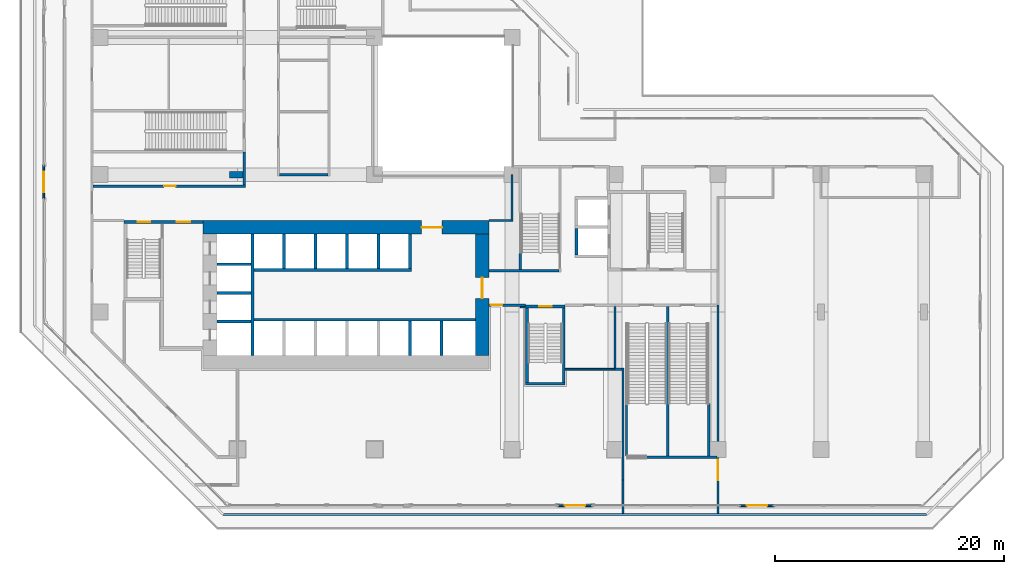
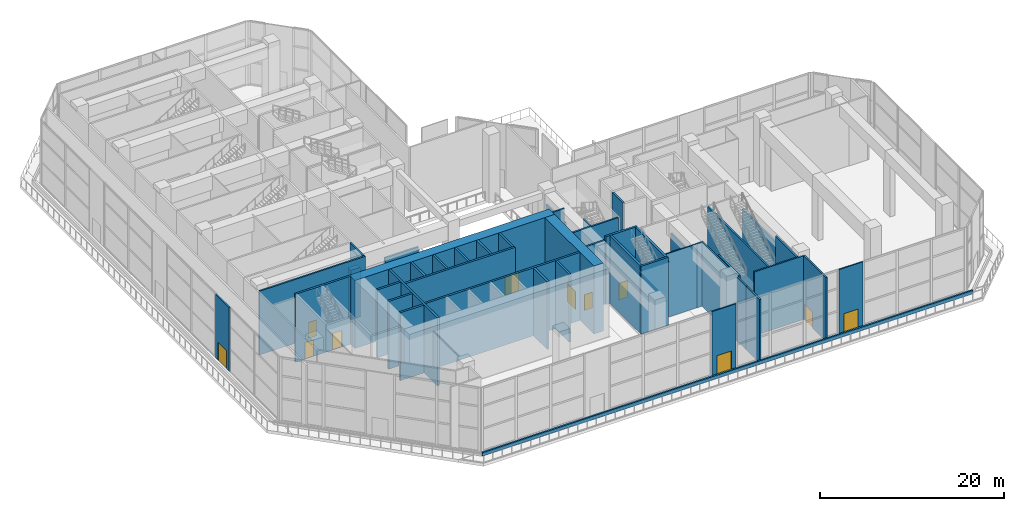
# One storey, part 13 of 28: 45 walls, 11 doors, 11 openings.
"""IFC4 building model written with IfcOpenShell, lengths in metres."""

from ifc_helpers import new_model, si_unit, direction, frame, frame_2d, origin, place, context, subcontext, project, spatial, rectangle, extrude, material, layer, layer_set, type_object, element, fill, save


model = new_model("IFC4")

# Units and contexts
model_context = context("Model", 3, precision=1e-05, world=origin(), true_north=direction((0.0, 1.0)))
body_context = subcontext(model_context, "Body", "Model", "MODEL_VIEW")
ifc_project = project(units=[si_unit("LENGTHUNIT", "METRE"), si_unit("AREAUNIT", "SQUARE_METRE"), si_unit("VOLUMEUNIT", "CUBIC_METRE"), si_unit("PLANEANGLEUNIT", "RADIAN"), si_unit("MASSUNIT", "GRAM", prefix="KILO")], contexts=[model_context])

# Site, building, storey
site_placement = place(None, origin())
site = spatial("IfcSite", under=ifc_project, at=site_placement, CompositionType="ELEMENT")
building_placement = place(site_placement, origin())
building = spatial("IfcBuilding", under=site, at=building_placement, Name="Chenar Terraces", CompositionType="ELEMENT")
storey_placement = place(building_placement, frame((0.0, 0.0, 26.39990234375)))
storey = spatial("IfcBuildingStorey", under=building, at=storey_placement, Name="L05", CompositionType="ELEMENT", Elevation=26.39990234375)

# Wall, opening, door
ifc_material_1 = material(Name="Concrete C70/85", Category="concrete")
ifc_layer_1 = layer(ifc_material_1, 1.199951171875)
ifc_layer_set_1 = layer_set([ifc_layer_1], Name="Concrete C70/85")
wall_type_1 = type_object("IfcWallType", Name="Core wall 1200 Concrete C70/85", PredefinedType="SHEAR", material=ifc_layer_set_1)
wall_1_placement = place(storey_placement, frame((9.0, 19.39990234375, 0.0), z_axis=(0.0, 0.0, 1.0), x_axis=(1.0, 0.0, 0.0)))
wall_1 = element("IfcWall", 1, at=wall_1_placement, inside=storey, type_object=wall_type_1, Name="Core wall N L05", PredefinedType="SHEAR", context=body_context, shape_type="SweptSolid", body=[
    extrude(rectangle(XDim=25.0, YDim=1.199951171875, at=frame_2d((12.5, 0.0))), origin(), (0.0, 0.0, 1.0), 9.0),
])
opening_1_placement = place(wall_1_placement, frame((19.10009765625, 0.0, 0.0)))
opening_1 = element("IfcOpeningElement", 2, at=opening_1_placement, cuts=wall_1, Name="Opening DL05-C2", PredefinedType="OPENING", context=body_context, shape_type="SweptSolid", body=[
    extrude(rectangle(XDim=1.800048828125, YDim=2.39990234375, at=frame_2d((0.89990234375, 1.199951171875))), frame((0.0, 0.60986328125, 0.0), z_axis=(0.0, -1.0, 0.0), x_axis=(1.0, 0.0, 0.0)), (0.0, 0.0, 1.0), 1.219970703125),
])
ifc_material_2 = material(Name="Steel-framed fire-resisting door leaf", Category="steel")
door_type_1 = type_object("IfcDoorType", Name="Core entrance double fire door FD60 1800 x 2400", OperationType="DOUBLE_DOOR_SINGLE_SWING", PredefinedType="DOOR", material=ifc_material_2)
door_1_placement = place(opening_1_placement, frame((1.800048828125, 0.0, 0.0), z_axis=(0.0, 0.0, 1.0), x_axis=(-1.0, 0.0, 0.0)))
door_1 = element("IfcDoor", 3, at=door_1_placement, inside=storey, type_object=door_type_1, Name="Core door DL05-C2", OperationType="DOUBLE_DOOR_SINGLE_SWING", OverallHeight=2.39990234375, OverallWidth=1.800048828125, PredefinedType="DOOR", context=body_context, shape_type="SweptSolid", body=[
    extrude(rectangle(XDim=1.800048828125, YDim=2.39990234375, at=frame_2d((0.89990234375, 1.199951171875))), frame((0.0, 0.02490234375, 0.0), z_axis=(0.0, -1.0, 0.0), x_axis=(1.0, 0.0, 0.0)), (0.0, 0.0, 1.0), 0.050048828125),
])
fill(opening_1, door_1)

wall_2_placement = place(storey_placement, frame((33.39990234375, 8.199951171875, 0.0), z_axis=(0.0, 0.0, 1.0), x_axis=(0.0, 1.0, 0.0)))
wall_2 = element("IfcWall", 4, at=wall_2_placement, inside=storey, type_object=wall_type_1, Name="Core wall E L05", PredefinedType="SHEAR", context=body_context, shape_type="SweptSolid", body=[
    extrude(rectangle(XDim=10.60009765625, YDim=1.199951171875, at=frame_2d((5.300048828125, 0.0))), origin(), (0.0, 0.0, 1.0), 9.0),
])
opening_2_placement = place(wall_2_placement, frame((5.0, 0.0, 0.0)))
opening_2 = element("IfcOpeningElement", 5, at=opening_2_placement, cuts=wall_2, Name="Opening DL05-C1", PredefinedType="OPENING", context=body_context, shape_type="SweptSolid", body=[
    extrude(rectangle(XDim=1.800048828125, YDim=2.39990234375, at=frame_2d((0.89990234375, 1.199951171875))), frame((0.0, 0.60986328125, 0.0), z_axis=(0.0, -1.0, 0.0), x_axis=(1.0, 0.0, 0.0)), (0.0, 0.0, 1.0), 1.219970703125),
])
door_2_placement = place(opening_2_placement, origin())
door_2 = element("IfcDoor", 6, at=door_2_placement, inside=storey, type_object=door_type_1, Name="Core door DL05-C1", OperationType="DOUBLE_DOOR_SINGLE_SWING", OverallHeight=2.39990234375, OverallWidth=1.800048828125, PredefinedType="DOOR", context=body_context, shape_type="SweptSolid", body=[
    extrude(rectangle(XDim=1.800048828125, YDim=2.39990234375, at=frame_2d((0.89990234375, 1.199951171875))), frame((0.0, 0.02490234375, 0.0), z_axis=(0.0, -1.0, 0.0), x_axis=(1.0, 0.0, 0.0)), (0.0, 0.0, 1.0), 0.050048828125),
])
fill(opening_2, door_2)

# Walls
ifc_material_3 = material(Name="Concrete C70/85", Category="concrete")
ifc_layer_2 = layer(ifc_material_3, 0.25)
ifc_layer_set_2 = layer_set([ifc_layer_2], Name="Concrete C70/85")
wall_type_2 = type_object("IfcWallType", Name="Core wall 250 Concrete C70/85", PredefinedType="SHEAR", material=ifc_layer_set_2)
wall_3_placement = place(storey_placement, frame((13.324951171875, 8.199951171875, 0.0), z_axis=(0.0, 0.0, 1.0), x_axis=(0.0, 1.0, 0.0)))
element("IfcWall", 7, at=wall_3_placement, inside=storey, type_object=wall_type_2, Name="Core wall WI L05", PredefinedType="SHEAR", context=body_context, shape_type="SweptSolid", body=[
    extrude(rectangle(XDim=10.60009765625, YDim=0.25, at=frame_2d((5.300048828125, 0.0))), origin(), (0.0, 0.0, 1.0), 9.0),
])
wall_4_placement = place(storey_placement, frame((13.449951171875, 11.324951171875, 0.0), z_axis=(0.0, 0.0, 1.0), x_axis=(1.0, 0.0, 0.0)))
element("IfcWall", 8, at=wall_4_placement, inside=storey, type_object=wall_type_2, Name="Core wall SF L05", PredefinedType="SHEAR", context=body_context, shape_type="SweptSolid", body=[
    extrude(rectangle(XDim=19.35009765625, YDim=0.25, at=frame_2d((9.675048828125, 0.0))), origin(), (0.0, 0.0, 1.0), 9.0),
])
wall_5_placement = place(storey_placement, frame((13.449951171875, 15.675048828125, 0.0), z_axis=(0.0, 0.0, 1.0), x_axis=(1.0, 0.0, 0.0)))
element("IfcWall", 9, at=wall_5_placement, inside=storey, type_object=wall_type_2, Name="Core wall NF L05", PredefinedType="SHEAR", context=body_context, shape_type="SweptSolid", body=[
    extrude(rectangle(XDim=13.75, YDim=0.25, at=frame_2d((6.875, 0.0))), origin(), (0.0, 0.0, 1.0), 9.0),
])
for number, where, z_axis, x_axis, name in (
    (10, (10.199951171875, 11.175048828125, 0.0), (0.0, 0.0, 1.0), (1.0, 0.0, 0.0), "Core wall HW0 L05"),
    (11, (10.199951171875, 13.675048828125, 0.0), (0.0, 0.0, 1.0), (1.0, 0.0, 0.0), "Core wall HW1 L05"),
    (12, (10.199951171875, 16.175048828125, 0.0), (0.0, 0.0, 1.0), (1.0, 0.0, 0.0), "Core wall HW2 L05"),
    (13, (27.074951171875, 8.199951171875, 0.0), (0.0, 0.0, 1.0), (0.0, 1.0, 0.0), "Core wall SS4 L05"),
    (14, (29.824951171875, 8.199951171875, 0.0), (0.0, 0.0, 1.0), (0.0, 1.0, 0.0), "Core wall SS5 L05"),
    (15, (16.074951171875, 15.800048828125, 0.0), (0.0, 0.0, 1.0), (0.0, 1.0, 0.0), "Core wall NS0 L05"),
    (16, (18.824951171875, 15.800048828125, 0.0), (0.0, 0.0, 1.0), (0.0, 1.0, 0.0), "Core wall NS1 L05"),
    (17, (21.574951171875, 15.800048828125, 0.0), (0.0, 0.0, 1.0), (0.0, 1.0, 0.0), "Core wall NS2 L05"),
    (18, (24.324951171875, 15.800048828125, 0.0), (0.0, 0.0, 1.0), (0.0, 1.0, 0.0), "Core wall NS3 L05"),
    (19, (27.074951171875, 15.800048828125, 0.0), (0.0, 0.0, 1.0), (0.0, 1.0, 0.0), "Core wall NE L05"),
):
    element("IfcWall", number, at=place(storey_placement, frame(where, z_axis=z_axis, x_axis=x_axis)), inside=storey, type_object=wall_type_2, Name=name, PredefinedType="SHEAR", context=body_context, shape_type="SweptSolid", body=[
        extrude(rectangle(XDim=3.0, YDim=0.25, at=frame_2d((1.5, 0.0))), origin(), (0.0, 0.0, 1.0), 9.0),
    ])

# Wall, openings, doors
wall_6_placement = place(storey_placement, frame((2.10009765625, 19.875, 0.0), z_axis=(0.0, 0.0, 1.0), x_axis=(1.0, 0.0, 0.0)))
wall_6 = element("IfcWall", 20, at=wall_6_placement, inside=storey, type_object=wall_type_2, Name="Core wall A_N L05", PredefinedType="SHEAR", context=body_context, shape_type="SweptSolid", body=[
    extrude(rectangle(XDim=6.89990234375, YDim=0.25, at=frame_2d((3.449951171875, 0.0))), origin(), (0.0, 0.0, 1.0), 9.0),
])
opening_3_placement = place(wall_6_placement, frame((1.175048828125, 0.0, 0.0)))
opening_3 = element("IfcOpeningElement", 21, at=opening_3_placement, cuts=wall_6, Name="Opening DL05-C5", PredefinedType="OPENING", context=body_context, shape_type="SweptSolid", body=[
    extrude(rectangle(XDim=1.10009765625, YDim=2.199951171875, at=frame_2d((0.550048828125, 1.10009765625))), frame((0.0, 0.135009765625, 0.0), z_axis=(0.0, -1.0, 0.0), x_axis=(1.0, 0.0, 0.0)), (0.0, 0.0, 1.0), 0.27001953125),
])
opening_4_placement = place(wall_6_placement, frame((4.60009765625, 0.0, 0.0)))
opening_4 = element("IfcOpeningElement", 22, at=opening_4_placement, cuts=wall_6, Name="Opening DL05-C6", PredefinedType="OPENING", context=body_context, shape_type="SweptSolid", body=[
    extrude(rectangle(XDim=1.199951171875, YDim=2.199951171875, at=frame_2d((0.60009765625, 1.10009765625))), frame((0.0, 0.135009765625, 0.0), z_axis=(0.0, -1.0, 0.0), x_axis=(1.0, 0.0, 0.0)), (0.0, 0.0, 1.0), 0.27001953125),
])
ifc_material_4 = material(Name="Steel-framed fire-resisting door leaf", Category="steel")
door_type_2 = type_object("IfcDoorType", Name="Lobby fire door FD60 1200 x 2200", OperationType="SINGLE_SWING_LEFT", PredefinedType="DOOR", material=ifc_material_4)
door_3_placement = place(opening_4_placement, frame((1.199951171875, 0.0, 0.0), z_axis=(0.0, 0.0, 1.0), x_axis=(-1.0, 0.0, 0.0)))
door_3 = element("IfcDoor", 23, at=door_3_placement, inside=storey, type_object=door_type_2, Name="Core door DL05-C6", OperationType="SINGLE_SWING_LEFT", OverallHeight=2.199951171875, OverallWidth=1.199951171875, PredefinedType="DOOR", context=body_context, shape_type="SweptSolid", body=[
    extrude(rectangle(XDim=1.199951171875, YDim=2.199951171875, at=frame_2d((0.60009765625, 1.10009765625))), frame((0.0, 0.02490234375, 0.0), z_axis=(0.0, -1.0, 0.0), x_axis=(1.0, 0.0, 0.0)), (0.0, 0.0, 1.0), 0.050048828125),
])
fill(opening_4, door_3)
ifc_material_5 = material(Name="Steel-framed fire-resisting door leaf", Category="steel")
door_type_3 = type_object("IfcDoorType", Name="Stair fire door FD60 1100 x 2200", OperationType="SINGLE_SWING_LEFT", PredefinedType="DOOR", material=ifc_material_5)
door_4_placement = place(opening_3_placement, origin())
door_4 = element("IfcDoor", 24, at=door_4_placement, inside=storey, type_object=door_type_3, Name="Stair door DL05-C5", OperationType="SINGLE_SWING_LEFT", OverallHeight=2.199951171875, OverallWidth=1.10009765625, PredefinedType="DOOR", context=body_context, shape_type="SweptSolid", body=[
    extrude(rectangle(XDim=1.10009765625, YDim=2.199951171875, at=frame_2d((0.550048828125, 1.10009765625))), frame((0.0, 0.02490234375, 0.0), z_axis=(0.0, -1.0, 0.0), x_axis=(1.0, 0.0, 0.0)), (0.0, 0.0, 1.0), 0.050048828125),
])
fill(opening_3, door_4)

# Wall
wall_7_placement = place(storey_placement, frame((37.199951171875, 5.72509765625, 0.0), z_axis=(0.0, 0.0, 1.0), x_axis=(1.0, 0.0, 0.0)))
element("IfcWall", 25, at=wall_7_placement, inside=storey, type_object=wall_type_2, Name="Core wall ST2_S L05", PredefinedType="SHEAR", context=body_context, shape_type="SweptSolid", body=[
    extrude(rectangle(XDim=3.449951171875, YDim=0.25, at=frame_2d((1.72509765625, 0.0))), origin(), (0.0, 0.0, 1.0), 9.0),
])

# Wall, opening, door
wall_8_placement = place(storey_placement, frame((36.699951171875, 12.47509765625, 0.0), z_axis=(0.0, 0.0, 1.0), x_axis=(1.0, 0.0, 0.0)))
wall_8 = element("IfcWall", 26, at=wall_8_placement, inside=storey, type_object=wall_type_2, Name="Core wall ST2_N L05", PredefinedType="SHEAR", context=body_context, shape_type="SweptSolid", body=[
    extrude(rectangle(XDim=3.949951171875, YDim=0.25, at=frame_2d((1.97509765625, 0.0))), origin(), (0.0, 0.0, 1.0), 9.0),
])
opening_5_placement = place(wall_8_placement, frame((1.675048828125, 0.0, 0.0)))
opening_5 = element("IfcOpeningElement", 27, at=opening_5_placement, cuts=wall_8, Name="Opening DL05-C7", PredefinedType="OPENING", context=body_context, shape_type="SweptSolid", body=[
    extrude(rectangle(XDim=1.10009765625, YDim=2.199951171875, at=frame_2d((0.550048828125, 1.10009765625))), frame((0.0, 0.135009765625, 0.0), z_axis=(0.0, -1.0, 0.0), x_axis=(1.0, 0.0, 0.0)), (0.0, 0.0, 1.0), 0.27001953125),
])
door_5_placement = place(opening_5_placement, frame((1.10009765625, 0.0, 0.0), z_axis=(0.0, 0.0, 1.0), x_axis=(-1.0, 0.0, 0.0)))
door_5 = element("IfcDoor", 28, at=door_5_placement, inside=storey, type_object=door_type_3, Name="Stair door DL05-C7", OperationType="SINGLE_SWING_RIGHT", OverallHeight=2.199951171875, OverallWidth=1.10009765625, PredefinedType="DOOR", context=body_context, shape_type="SweptSolid", body=[
    extrude(rectangle(XDim=1.10009765625, YDim=2.199951171875, at=frame_2d((0.550048828125, 1.10009765625))), frame((0.0, 0.02490234375, 0.0), z_axis=(0.0, -1.0, 0.0), x_axis=(1.0, 0.0, 0.0)), (0.0, 0.0, 1.0), 0.050048828125),
])
fill(opening_5, door_5)

# Walls
for number, where, z_axis, x_axis, name in (
    (29, (37.324951171875, 5.85009765625, 0.0), (0.0, 0.0, 1.0), (0.0, 1.0, 0.0), "Core wall ST2_W L05"),
    (30, (40.52490234375, 5.85009765625, 0.0), (0.0, 0.0, 1.0), (0.0, 1.0, 0.0), "Core wall ST2_E L05"),
):
    element("IfcWall", number, at=place(storey_placement, frame(where, z_axis=z_axis, x_axis=x_axis)), inside=storey, type_object=wall_type_2, Name=name, PredefinedType="SHEAR", context=body_context, shape_type="SweptSolid", body=[
        extrude(rectangle(XDim=6.5, YDim=0.25, at=frame_2d((3.25, 0.0))), origin(), (0.0, 0.0, 1.0), 9.0),
    ])
wall_9_placement = place(storey_placement, frame((41.625, 17.0, 0.0), z_axis=(0.0, 0.0, 1.0), x_axis=(0.0, 1.0, 0.0)))
element("IfcWall", 31, at=wall_9_placement, inside=storey, type_object=wall_type_2, Name="Core wall F3_SW L05", PredefinedType="SHEAR", context=body_context, shape_type="SweptSolid", body=[
    extrude(rectangle(XDim=2.300048828125, YDim=0.25, at=frame_2d((1.14990234375, 0.0))), origin(), (0.0, 0.0, 1.0), 9.0),
])

# Wall, opening, door
ifc_material_6 = material(Name="Gypsum board on steel studs with fire boards", Category="steel")
ifc_layer_3 = layer(ifc_material_6, 0.199951171875)
ifc_layer_set_3 = layer_set([ifc_layer_3], Name="Gypsum board on steel studs with fire boards")
wall_type_3 = type_object("IfcWallType", Name="Corridor wall 200", PredefinedType="PARTITIONING", material=ifc_layer_set_3)
wall_10_placement = place(storey_placement, frame((-0.60009765625, 23.0, 0.0), z_axis=(0.0, 0.0, 1.0), x_axis=(1.0, 0.0, 0.0)))
wall_10 = element("IfcWall", 32, at=wall_10_placement, inside=storey, type_object=wall_type_3, Name="Partition L05-014", PredefinedType="PARTITIONING", context=body_context, shape_type="SweptSolid", body=[
    extrude(rectangle(XDim=13.300048828125, YDim=0.199951171875, at=frame_2d((6.64990234375, 0.0))), origin(), (0.0, 0.0, 1.0), 8.4501953125),
])
opening_6_placement = place(wall_10_placement, frame((6.199951171875, 0.0, 0.0)))
opening_6 = element("IfcOpeningElement", 33, at=opening_6_placement, cuts=wall_10, Name="Opening DL05-29", PredefinedType="OPENING", context=body_context, shape_type="SweptSolid", body=[
    extrude(rectangle(XDim=1.0, YDim=2.10009765625, at=frame_2d((0.5, 1.050048828125))), frame((0.0, 0.10986328125, 0.0), z_axis=(0.0, -1.0, 0.0), x_axis=(1.0, 0.0, 0.0)), (0.0, 0.0, 1.0), 0.219970703125),
])
ifc_material_7 = material(Name="Steel-framed fire-resisting door leaf", Category="steel")
door_type_4 = type_object("IfcDoorType", Name="Fire door FD60 1000 x 2100", OperationType="SINGLE_SWING_LEFT", PredefinedType="DOOR", material=ifc_material_7)
door_6_placement = place(opening_6_placement, origin())
door_6 = element("IfcDoor", 34, at=door_6_placement, inside=storey, type_object=door_type_4, Name="Door DL05-29", OperationType="SINGLE_SWING_RIGHT", OverallHeight=2.10009765625, OverallWidth=1.0, PredefinedType="DOOR", context=body_context, shape_type="SweptSolid", body=[
    extrude(rectangle(XDim=1.0, YDim=2.10009765625, at=frame_2d((0.5, 1.050048828125))), frame((0.0, 0.02490234375, 0.0), z_axis=(0.0, -1.0, 0.0), x_axis=(1.0, 0.0, 0.0)), (0.0, 0.0, 1.0), 0.050048828125),
])
fill(opening_6, door_6)

# Walls
wall_11_placement = place(storey_placement, frame((12.60009765625, 23.10009765625, 0.0), z_axis=(0.0, 0.0, 1.0), x_axis=(0.0, 1.0, 0.0)))
element("IfcWall", 35, at=wall_11_placement, inside=storey, type_object=wall_type_3, Name="Partition L05-036", PredefinedType="PARTITIONING", context=body_context, shape_type="SweptSolid", body=[
    extrude(rectangle(XDim=2.89990234375, YDim=0.199951171875, at=frame_2d((1.449951171875, 0.0))), origin(), (0.0, 0.0, 1.0), 8.4501953125),
])
wall_12_placement = place(storey_placement, frame((15.699951171875, 24.0, 0.0), z_axis=(0.0, 0.0, 1.0), x_axis=(1.0, 0.0, 0.0)))
element("IfcWall", 36, at=wall_12_placement, inside=storey, type_object=wall_type_3, Name="Partition L05-051", PredefinedType="PARTITIONING", context=body_context, shape_type="SweptSolid", body=[
    extrude(rectangle(XDim=4.199951171875, YDim=0.199951171875, at=frame_2d((2.10009765625, 0.0))), origin(), (0.0, 0.0, 1.0), 6.550048828125),
])

# Wall, opening, door
wall_13_placement = place(storey_placement, frame((34.0, 12.60009765625, 0.0), z_axis=(0.0, 0.0, 1.0), x_axis=(1.0, 0.0, 0.0)))
wall_13 = element("IfcWall", 37, at=wall_13_placement, inside=storey, type_object=wall_type_3, Name="Partition L05-065", PredefinedType="PARTITIONING", context=body_context, shape_type="SweptSolid", body=[
    extrude(rectangle(XDim=3.199951171875, YDim=0.199951171875, at=frame_2d((1.60009765625, 0.0))), origin(), (0.0, 0.0, 1.0), 8.4501953125),
])
opening_7_placement = place(wall_13_placement, frame((0.14990234375, 0.0, 0.0)))
opening_7 = element("IfcOpeningElement", 38, at=opening_7_placement, cuts=wall_13, Name="Opening DL05-2", PredefinedType="OPENING", context=body_context, shape_type="SweptSolid", body=[
    extrude(rectangle(XDim=1.0, YDim=2.10009765625, at=frame_2d((0.5, 1.050048828125))), frame((0.0, 0.10986328125, 0.0), z_axis=(0.0, -1.0, 0.0), x_axis=(1.0, 0.0, 0.0)), (0.0, 0.0, 1.0), 0.219970703125),
])
door_7_placement = place(opening_7_placement, origin())
door_7 = element("IfcDoor", 39, at=door_7_placement, inside=storey, type_object=door_type_4, Name="Door DL05-2", OperationType="SINGLE_SWING_LEFT", OverallHeight=2.10009765625, OverallWidth=1.0, PredefinedType="DOOR", context=body_context, shape_type="SweptSolid", body=[
    extrude(rectangle(XDim=1.0, YDim=2.10009765625, at=frame_2d((0.5, 1.050048828125))), frame((0.0, 0.02490234375, 0.0), z_axis=(0.0, -1.0, 0.0), x_axis=(1.0, 0.0, 0.0)), (0.0, 0.0, 1.0), 0.050048828125),
])
fill(opening_7, door_7)

# Wall
wall_14_placement = place(storey_placement, frame((45.699951171875, -5.60009765625, 0.0), z_axis=(0.0, 0.0, 1.0), x_axis=(0.0, 1.0, 0.0)))
element("IfcWall", 40, at=wall_14_placement, inside=storey, type_object=wall_type_3, Name="Partition L05-081", PredefinedType="PARTITIONING", context=body_context, shape_type="SweptSolid", body=[
    extrude(rectangle(XDim=2.900146484375, YDim=0.199951171875, at=frame_2d((1.4501953125, 0.0))), origin(), (0.0, 0.0, 1.0), 8.4501953125),
])

# Wall, opening, door
wall_15_placement = place(storey_placement, frame((54.0, -5.60009765625, 0.0), z_axis=(0.0, 0.0, 1.0), x_axis=(0.0, 1.0, 0.0)))
wall_15 = element("IfcWall", 41, at=wall_15_placement, inside=storey, type_object=wall_type_3, Name="Partition L05-088", PredefinedType="PARTITIONING", context=body_context, shape_type="SweptSolid", body=[
    extrude(rectangle(XDim=4.900146484375, YDim=0.199951171875, at=frame_2d((2.4501953125, 0.0))), origin(), (0.0, 0.0, 1.0), 8.4501953125),
])
opening_8_placement = place(wall_15_placement, frame((2.89990234375, 0.0, 0.0)))
opening_8 = element("IfcOpeningElement", 42, at=opening_8_placement, cuts=wall_15, Name="Opening DL05-18", PredefinedType="OPENING", context=body_context, shape_type="SweptSolid", body=[
    extrude(rectangle(XDim=1.800048828125, YDim=2.10009765625, at=frame_2d((0.89990234375, 1.050048828125))), frame((0.0, 0.10986328125, 0.0), z_axis=(0.0, -1.0, 0.0), x_axis=(1.0, 0.0, 0.0)), (0.0, 0.0, 1.0), 0.219970703125),
])
ifc_material_8 = material(Name="Steel-framed fire-resisting door leaf", Category="steel")
door_type_5 = type_object("IfcDoorType", Name="Fire double door FD60 1800 x 2100", OperationType="DOUBLE_DOOR_SINGLE_SWING", PredefinedType="DOOR", material=ifc_material_8)
door_8_placement = place(opening_8_placement, origin())
door_8 = element("IfcDoor", 43, at=door_8_placement, inside=storey, type_object=door_type_5, Name="Door DL05-18", OperationType="DOUBLE_DOOR_SINGLE_SWING", OverallHeight=2.10009765625, OverallWidth=1.800048828125, PredefinedType="DOOR", context=body_context, shape_type="SweptSolid", body=[
    extrude(rectangle(XDim=1.800048828125, YDim=2.10009765625, at=frame_2d((0.89990234375, 1.050048828125))), frame((0.0, 0.02490234375, 0.0), z_axis=(0.0, -1.0, 0.0), x_axis=(1.0, 0.0, 0.0)), (0.0, 0.0, 1.0), 0.050048828125),
])
fill(opening_8, door_8)

ifc_material_9 = material(Name="Aluminium framed glazing", Category="aluminium")
ifc_layer_4 = layer(ifc_material_9, 0.14990234375)
ifc_layer_set_4 = layer_set([ifc_layer_4], Name="Aluminium framed glazing")
wall_type_4 = type_object("IfcWallType", Name="Podium glazed wall 150", PredefinedType="SOLIDWALL", material=ifc_layer_set_4)
wall_16_placement = place(storey_placement, frame((-4.925048828125, 24.85009765625, 0.0), z_axis=(0.0, 0.0, 1.0), x_axis=(0.0, -1.0, 0.0)))
wall_16 = element("IfcWall", 44, at=wall_16_placement, inside=storey, type_object=wall_type_4, Name="Podium glazed wall", PredefinedType="SOLIDWALL", context=body_context, shape_type="SweptSolid", body=[
    extrude(rectangle(XDim=3.0, YDim=0.14990234375, at=frame_2d((1.5, 0.0))), origin(), (0.0, 0.0, 1.0), 8.4501953125),
])
opening_9_placement = place(wall_16_placement, frame((0.60009765625, 0.0, 0.0)))
opening_9 = element("IfcOpeningElement", 45, at=opening_9_placement, cuts=wall_16, Name="Opening DL05-T3", PredefinedType="OPENING", context=body_context, shape_type="SweptSolid", body=[
    extrude(rectangle(XDim=1.800048828125, YDim=2.39990234375, at=frame_2d((0.89990234375, 1.199951171875))), frame((0.0, 0.0849609375, 0.0), z_axis=(0.0, -1.0, 0.0), x_axis=(1.0, 0.0, 0.0)), (0.0, 0.0, 1.0), 0.169921875),
])
ifc_material_10 = material(Name="Low emissivity double glazing, aluminium frame", Category="aluminium")
door_type_6 = type_object("IfcDoorType", Name="Terrace glazed double door 1800 x 2400", OperationType="DOUBLE_DOOR_SINGLE_SWING", PredefinedType="DOOR", material=ifc_material_10)
door_9_placement = place(opening_9_placement, frame((1.800048828125, 0.0, 0.0), z_axis=(0.0, 0.0, 1.0), x_axis=(-1.0, 0.0, 0.0)))
door_9 = element("IfcDoor", 46, at=door_9_placement, inside=storey, type_object=door_type_6, Name="Terrace glazed door", OperationType="DOUBLE_DOOR_SINGLE_SWING", OverallHeight=2.39990234375, OverallWidth=1.800048828125, PredefinedType="DOOR", context=body_context, shape_type="SweptSolid", body=[
    extrude(rectangle(XDim=1.800048828125, YDim=2.39990234375, at=frame_2d((0.89990234375, 1.199951171875))), frame((0.0, 0.02490234375, 0.0), z_axis=(0.0, -1.0, 0.0), x_axis=(1.0, 0.0, 0.0)), (0.0, 0.0, 1.0), 0.050048828125),
])
fill(opening_9, door_9)

wall_17_placement = place(storey_placement, frame((40.0, -4.925048828125, 0.0), z_axis=(0.0, 0.0, 1.0), x_axis=(1.0, 0.0, 0.0)))
wall_17 = element("IfcWall", 47, at=wall_17_placement, inside=storey, type_object=wall_type_4, Name="Podium glazed wall", PredefinedType="SOLIDWALL", context=body_context, shape_type="SweptSolid", body=[
    extrude(rectangle(XDim=3.0, YDim=0.14990234375, at=frame_2d((1.5, 0.0))), origin(), (0.0, 0.0, 1.0), 8.4501953125),
])
opening_10_placement = place(wall_17_placement, frame((0.60009765625, 0.0, 0.0)))
opening_10 = element("IfcOpeningElement", 48, at=opening_10_placement, cuts=wall_17, Name="Opening DL05-T2", PredefinedType="OPENING", context=body_context, shape_type="SweptSolid", body=[
    extrude(rectangle(XDim=1.800048828125, YDim=2.39990234375, at=frame_2d((0.89990234375, 1.199951171875))), frame((0.0, 0.0849609375, 0.0), z_axis=(0.0, -1.0, 0.0), x_axis=(1.0, 0.0, 0.0)), (0.0, 0.0, 1.0), 0.169921875),
])
door_10_placement = place(opening_10_placement, frame((1.800048828125, 0.0, 0.0), z_axis=(0.0, 0.0, 1.0), x_axis=(-1.0, 0.0, 0.0)))
door_10 = element("IfcDoor", 49, at=door_10_placement, inside=storey, type_object=door_type_6, Name="Terrace glazed door", OperationType="DOUBLE_DOOR_SINGLE_SWING", OverallHeight=2.39990234375, OverallWidth=1.800048828125, PredefinedType="DOOR", context=body_context, shape_type="SweptSolid", body=[
    extrude(rectangle(XDim=1.800048828125, YDim=2.39990234375, at=frame_2d((0.89990234375, 1.199951171875))), frame((0.0, 0.02490234375, 0.0), z_axis=(0.0, -1.0, 0.0), x_axis=(1.0, 0.0, 0.0)), (0.0, 0.0, 1.0), 0.050048828125),
])
fill(opening_10, door_10)

wall_18_placement = place(storey_placement, frame((55.89990234375, -4.925048828125, 0.0), z_axis=(0.0, 0.0, 1.0), x_axis=(1.0, 0.0, 0.0)))
wall_18 = element("IfcWall", 50, at=wall_18_placement, inside=storey, type_object=wall_type_4, Name="Podium glazed wall", PredefinedType="SOLIDWALL", context=body_context, shape_type="SweptSolid", body=[
    extrude(rectangle(XDim=3.0, YDim=0.14990234375, at=frame_2d((1.5, 0.0))), origin(), (0.0, 0.0, 1.0), 8.4501953125),
])
opening_11_placement = place(wall_18_placement, frame((0.60009765625, 0.0, 0.0)))
opening_11 = element("IfcOpeningElement", 51, at=opening_11_placement, cuts=wall_18, Name="Opening DL05-T3", PredefinedType="OPENING", context=body_context, shape_type="SweptSolid", body=[
    extrude(rectangle(XDim=1.800048828125, YDim=2.39990234375, at=frame_2d((0.89990234375, 1.199951171875))), frame((0.0, 0.0849609375, 0.0), z_axis=(0.0, -1.0, 0.0), x_axis=(1.0, 0.0, 0.0)), (0.0, 0.0, 1.0), 0.169921875),
])
door_11_placement = place(opening_11_placement, frame((1.800048828125, 0.0, 0.0), z_axis=(0.0, 0.0, 1.0), x_axis=(-1.0, 0.0, 0.0)))
door_11 = element("IfcDoor", 52, at=door_11_placement, inside=storey, type_object=door_type_6, Name="Terrace glazed door", OperationType="DOUBLE_DOOR_SINGLE_SWING", OverallHeight=2.39990234375, OverallWidth=1.800048828125, PredefinedType="DOOR", context=body_context, shape_type="SweptSolid", body=[
    extrude(rectangle(XDim=1.800048828125, YDim=2.39990234375, at=frame_2d((0.89990234375, 1.199951171875))), frame((0.0, 0.02490234375, 0.0), z_axis=(0.0, -1.0, 0.0), x_axis=(1.0, 0.0, 0.0)), (0.0, 0.0, 1.0), 0.050048828125),
])
fill(opening_11, door_11)

# Walls
ifc_material_11 = material(Name="Reinforced concrete C40/50", Category="concrete")
ifc_layer_5 = layer(ifc_material_11, 0.199951171875)
ifc_layer_set_5 = layer_set([ifc_layer_5], Name="Reinforced concrete C40/50")
wall_type_5 = type_object("IfcWallType", Name="Stair enclosure wall 200 concrete", PredefinedType="SOLIDWALL", material=ifc_layer_set_5)
wall_19_placement = place(storey_placement, frame((34.0, 15.60009765625, 0.0), z_axis=(0.0, 0.0, 1.0), x_axis=(1.0, 0.0, 0.0)))
element("IfcWall", 53, at=wall_19_placement, inside=storey, type_object=wall_type_5, Name="Stair enclosure wall L05-066", PredefinedType="SOLIDWALL", context=body_context, shape_type="SweptSolid", body=[
    extrude(rectangle(XDim=6.10009765625, YDim=0.199951171875, at=frame_2d((3.050048828125, 0.0))), origin(), (0.0, 0.0, 1.0), 8.4501953125),
])
wall_20_placement = place(storey_placement, frame((34.0, 20.0, 0.0), z_axis=(0.0, 0.0, 1.0), x_axis=(1.0, 0.0, 0.0)))
element("IfcWall", 54, at=wall_20_placement, inside=storey, type_object=wall_type_5, Name="Stair enclosure wall L05-067", PredefinedType="SOLIDWALL", context=body_context, shape_type="SweptSolid", body=[
    extrude(rectangle(XDim=1.89990234375, YDim=0.199951171875, at=frame_2d((0.949951171875, 0.0))), origin(), (0.0, 0.0, 1.0), 8.4501953125),
])
wall_21_placement = place(storey_placement, frame((36.0, 19.89990234375, 0.0), z_axis=(0.0, 0.0, 1.0), x_axis=(0.0, 1.0, 0.0)))
element("IfcWall", 55, at=wall_21_placement, inside=storey, type_object=wall_type_5, Name="Stair enclosure wall L05-068", PredefinedType="SOLIDWALL", context=body_context, shape_type="SweptSolid", body=[
    extrude(rectangle(XDim=4.10009765625, YDim=0.199951171875, at=frame_2d((2.050048828125, 0.0))), origin(), (0.0, 0.0, 1.0), 6.550048828125),
])
wall_22_placement = place(storey_placement, frame((45.0, 7.0, 0.0), z_axis=(0.0, 0.0, 1.0), x_axis=(1.0, 0.0, 0.0)))
element("IfcWall", 56, at=wall_22_placement, inside=storey, type_object=wall_type_5, Name="Stair enclosure wall L05-077", PredefinedType="SOLIDWALL", context=body_context, shape_type="SweptSolid", body=[
    extrude(rectangle(XDim=0.60009765625, YDim=0.199951171875, at=frame_2d((0.300048828125, 0.0))), origin(), (0.0, 0.0, 1.0), 8.4501953125),
])
wall_23_placement = place(storey_placement, frame((45.0, 7.10009765625, 0.0), z_axis=(0.0, 0.0, 1.0), x_axis=(0.0, 1.0, 0.0)))
element("IfcWall", 57, at=wall_23_placement, inside=storey, type_object=wall_type_5, Name="Stair enclosure wall L05-078", PredefinedType="SOLIDWALL", context=body_context, shape_type="SweptSolid", body=[
    extrude(rectangle(XDim=5.39990234375, YDim=0.199951171875, at=frame_2d((2.699951171875, 0.0))), origin(), (0.0, 0.0, 1.0), 6.550048828125),
])
wall_24_placement = place(storey_placement, frame((45.699951171875, -2.699951171875, 0.0), z_axis=(0.0, 0.0, 1.0), x_axis=(0.0, 1.0, 0.0)))
element("IfcWall", 58, at=wall_24_placement, inside=storey, type_object=wall_type_5, Name="Stair enclosure wall L05-082", PredefinedType="SOLIDWALL", context=body_context, shape_type="SweptSolid", body=[
    extrude(rectangle(XDim=9.800048828125, YDim=0.199951171875, at=frame_2d((4.89990234375, 0.0))), origin(), (0.0, 0.0, 1.0), 8.4501953125),
])
wall_25_placement = place(storey_placement, frame((47.699951171875, -0.699951171875, 0.0), z_axis=(0.0, 0.0, 1.0), x_axis=(1.0, 0.0, 0.0)))
element("IfcWall", 59, at=wall_25_placement, inside=storey, type_object=wall_type_5, Name="Stair enclosure wall L05-085", PredefinedType="SOLIDWALL", context=body_context, shape_type="SweptSolid", body=[
    extrude(rectangle(XDim=6.199951171875, YDim=0.199951171875, at=frame_2d((3.10009765625, 0.0))), origin(), (0.0, 0.0, 1.0), 8.4501953125),
])
wall_26_placement = place(storey_placement, frame((49.60009765625, -0.60009765625, 0.0), z_axis=(0.0, 0.0, 1.0), x_axis=(0.0, 1.0, 0.0)))
element("IfcWall", 60, at=wall_26_placement, inside=storey, type_object=wall_type_5, Name="Stair enclosure wall L05-086", PredefinedType="SOLIDWALL", context=body_context, shape_type="SweptSolid", body=[
    extrude(rectangle(XDim=13.10009765625, YDim=0.199951171875, at=frame_2d((6.550048828125, 0.0))), origin(), (0.0, 0.0, 1.0), 8.4501953125),
])
wall_27_placement = place(storey_placement, frame((54.0, -0.699951171875, 0.0), z_axis=(0.0, 0.0, 1.0), x_axis=(0.0, 1.0, 0.0)))
element("IfcWall", 61, at=wall_27_placement, inside=storey, type_object=wall_type_5, Name="Stair enclosure wall L05-089", PredefinedType="SOLIDWALL", context=body_context, shape_type="SweptSolid", body=[
    extrude(rectangle(XDim=13.300048828125, YDim=0.199951171875, at=frame_2d((6.64990234375, 0.0))), origin(), (0.0, 0.0, 1.0), 6.550048828125),
])
wall_28_placement = place(storey_placement, frame((36.715087890625, 15.699951171875, 0.0), z_axis=(0.0, 0.0, 1.0), x_axis=(0.0, 1.0, 0.0)))
element("IfcWall", 62, at=wall_28_placement, inside=storey, type_object=wall_type_5, Name="Stair enclosure wall L05-PS1-007", PredefinedType="SOLIDWALL", context=body_context, shape_type="SweptSolid", body=[
    extrude(rectangle(XDim=1.5, YDim=0.199951171875, at=frame_2d((0.75, 0.0))), origin(), (0.0, 0.0, 1.0), 8.4501953125),
])
for number, where, z_axis, x_axis, name in (
    (63, (53.199951171875, -0.60009765625, 0.0), (0.0, 0.0, 1.0), (0.0, 1.0, 0.0), "Stair enclosure wall L05-PS2-018"),
    (64, (46.0, -0.60009765625, 0.0), (0.0, 0.0, 1.0), (0.0, 1.0, 0.0), "Stair enclosure wall L05-PS6-039"),
):
    element("IfcWall", number, at=place(storey_placement, frame(where, z_axis=z_axis, x_axis=x_axis)), inside=storey, type_object=wall_type_5, Name=name, PredefinedType="SOLIDWALL", context=body_context, shape_type="SweptSolid", body=[
        extrude(rectangle(XDim=4.585205078125, YDim=0.199951171875, at=frame_2d((2.29248046875, 0.0))), origin(), (0.0, 0.0, 1.0), 8.4501953125),
    ])
ifc_material_12 = material(Name="Terracotta cladding on insulated backing", Category="masonry")
ifc_layer_6 = layer(ifc_material_12, 0.199951171875)
ifc_layer_set_6 = layer_set([ifc_layer_6], Name="Terracotta cladding on insulated backing")
wall_type_6 = type_object("IfcWallType", Name="Terrace parapet upstand 200", PredefinedType="PARAPET", material=ifc_layer_set_6)
wall_29_placement = place(storey_placement, frame((72.23974609375, -5.699951171875, 0.0), z_axis=(0.0, 0.0, 1.0), x_axis=(-1.0, 0.0, 0.0)))
element("IfcWall", 65, at=wall_29_placement, inside=storey, type_object=wall_type_6, Name="Terrace parapet", PredefinedType="PARAPET", context=body_context, shape_type="SweptSolid", body=[
    extrude(rectangle(XDim=61.4794921875, YDim=0.199951171875, at=frame_2d((30.73974609375, 0.0))), origin(), (0.0, 0.0, 1.0), 0.5),
])
ifc_material_13 = material(Name="Reinforced concrete C60/75", Category="concrete")
ifc_layer_7 = layer(ifc_material_13, 0.60009765625)
ifc_layer_set_7 = layer_set([ifc_layer_7], Name="Reinforced concrete C60/75")
wall_type_7 = type_object("IfcWallType", Name="Transfer pier wall 600 concrete", PredefinedType="SOLIDWALL", material=ifc_layer_set_7)
wall_30_placement = place(storey_placement, frame((11.300048828125, 24.0, 0.0), z_axis=(0.0, 0.0, 1.0), x_axis=(1.0, 0.0, 0.0)))
element("IfcWall", 66, at=wall_30_placement, inside=storey, type_object=wall_type_7, Name="Transfer pier wall L05-P01", PredefinedType="SOLIDWALL", context=body_context, shape_type="SweptSolid", body=[
    extrude(rectangle(XDim=1.199951171875, YDim=0.60009765625, at=frame_2d((0.60009765625, 0.0))), origin(), (0.0, 0.0, 1.0), 6.550048828125),
])
ifc_material_14 = material(Name="Moisture-resistant gypsum board on steel studs", Category="steel")
ifc_layer_8 = layer(ifc_material_14, 0.14990234375)
ifc_layer_set_8 = layer_set([ifc_layer_8], Name="Moisture-resistant gypsum board on steel studs")
wall_type_8 = type_object("IfcWallType", Name="Wet-room partition 150", PredefinedType="PARTITIONING", material=ifc_layer_set_8)
wall_31_placement = place(storey_placement, frame((40.64990234375, 7.0, 0.0), z_axis=(0.0, 0.0, 1.0), x_axis=(1.0, 0.0, 0.0)))
element("IfcWall", 67, at=wall_31_placement, inside=storey, type_object=wall_type_8, Name="Partition L05-074", PredefinedType="PARTITIONING", context=body_context, shape_type="SweptSolid", body=[
    extrude(rectangle(XDim=4.35009765625, YDim=0.14990234375, at=frame_2d((2.175048828125, 0.0))), origin(), (0.0, 0.0, 1.0), 8.4501953125),
])

save(model, "model.ifc")
